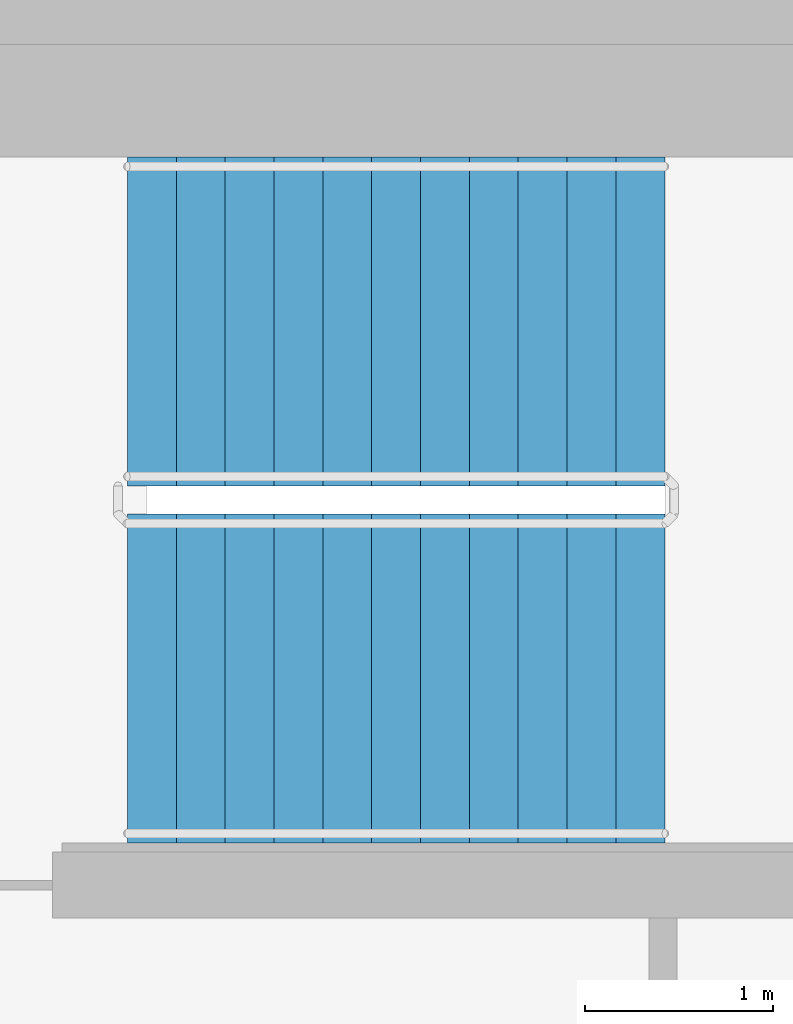
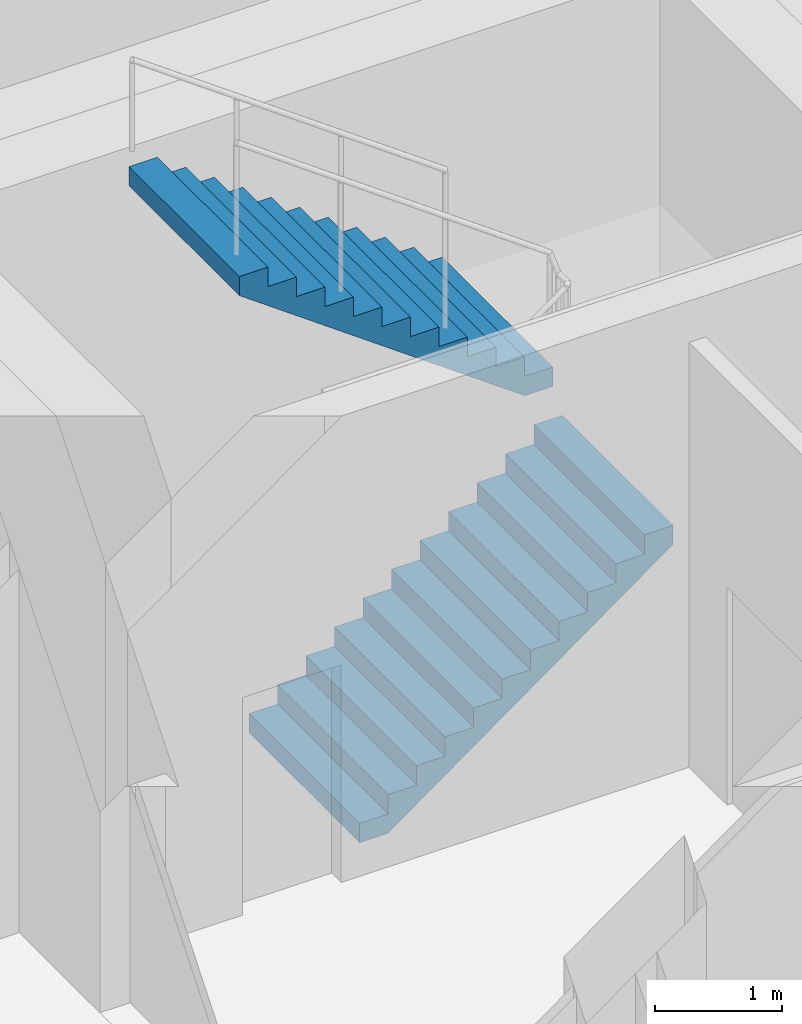
# One storey, part 12 of 17: 2 stair flights, 1 element without a shape of its own.
"""IFC4 building model written with IfcOpenShell, lengths in metres."""

from ifc_helpers import new_model, si_unit, direction, frame, origin, place, context, subcontext, project, spatial, faceted_brep, material, type_object, element, aggregate, save


model = new_model("IFC4")

# Units and contexts
model_context = context("Model", 3, precision=1e-05, world=origin(), true_north=direction((0.0, 1.0)))
body_context = subcontext(model_context, "Body", "Model", "MODEL_VIEW")
ifc_project = project(units=[si_unit("LENGTHUNIT", "METRE"), si_unit("AREAUNIT", "SQUARE_METRE"), si_unit("VOLUMEUNIT", "CUBIC_METRE"), si_unit("PLANEANGLEUNIT", "RADIAN"), si_unit("MASSUNIT", "GRAM", prefix="KILO")], contexts=[model_context])

# Site, building, storey
site_placement = place(None, origin())
site = spatial("IfcSite", under=ifc_project, at=site_placement, CompositionType="ELEMENT")
building_placement = place(site_placement, origin())
building = spatial("IfcBuilding", under=site, at=building_placement, Name="Ipe Terrace Towers", CompositionType="ELEMENT")
storey_placement = place(building_placement, frame((0.0, 0.0, 246.89990234375)))
storey = spatial("IfcBuildingStorey", under=building, at=storey_placement, Name="L68", CompositionType="ELEMENT", Elevation=246.89990234375)

# Stair, stair flights
ifc_material_1 = material(Name="Concrete C30/37", Category="concrete")
stair_type = type_object("IfcStairType", Name="Protected exit stair", PredefinedType="HALF_TURN_STAIR", material=ifc_material_1)
stair_placement = place(storey_placement, origin())
stair = element("IfcStair", 1, at=stair_placement, inside=storey, type_object=stair_type, Name="L68 Exit stair T1-C1", PredefinedType="HALF_TURN_STAIR")
ifc_material_2 = material(Name="Concrete C30/37", Category="concrete")
stair_flight_type = type_object("IfcStairFlightType", Name="Exit stair flight 1750", PredefinedType="STRAIGHT", material=ifc_material_2)
stair_flight_1_placement = place(storey_placement, frame((-26.300048828125, 2.77490234375, 0.0), z_axis=(0.0, 0.0, 1.0), x_axis=(1.0, 0.0, 0.0)))
stair_flight_1 = element("IfcStairFlight", 2, at=stair_flight_1_placement, type_object=stair_flight_type, Name="T1-ST1 flight 1", NumberOfRisers=12, NumberOfTreads=11, PredefinedType="STRAIGHT", RiserHeight=0.1875, TreadLength=0.26, context=body_context, shape_type="Brep", body=[
    faceted_brep([(0.25634765625, -0.875, 0.0), (2.860107421875, -0.875, 1.877685546875), (2.860107421875, -0.875, 2.0625), (2.60009765625, -0.875, 2.0625), (2.60009765625, -0.875, 1.875), (2.340087890625, -0.875, 1.875), (2.340087890625, -0.875, 1.6875), (2.080078125, -0.875, 1.6875), (2.080078125, -0.875, 1.5), (1.820068359375, -0.875, 1.5), (1.820068359375, -0.875, 1.3125), (1.56005859375, -0.875, 1.3125), (1.56005859375, -0.875, 1.125), (1.300048828125, -0.875, 1.125), (1.300048828125, -0.875, 0.9375), (1.0400390625, -0.875, 0.9375), (1.0400390625, -0.875, 0.75), (0.780029296875, -0.875, 0.75), (0.780029296875, -0.875, 0.5625), (0.52001953125, -0.875, 0.5625), (0.52001953125, -0.875, 0.375), (0.260009765625, -0.875, 0.375), (0.260009765625, -0.875, 0.1875), (0.0, -0.875, 0.1875), (0.0, -0.875, 0.0), (0.0, 0.875, 0.0), (0.0, 0.875, 0.1875), (0.260009765625, 0.875, 0.1875), (0.260009765625, 0.875, 0.375), (0.52001953125, 0.875, 0.375), (0.52001953125, 0.875, 0.5625), (0.780029296875, 0.875, 0.5625), (0.780029296875, 0.875, 0.75), (1.0400390625, 0.875, 0.75), (1.0400390625, 0.875, 0.9375), (1.300048828125, 0.875, 0.9375), (1.300048828125, 0.875, 1.125), (1.56005859375, 0.875, 1.125), (1.56005859375, 0.875, 1.3125), (1.820068359375, 0.875, 1.3125), (1.820068359375, 0.875, 1.5), (2.080078125, 0.875, 1.5), (2.080078125, 0.875, 1.6875), (2.340087890625, 0.875, 1.6875), (2.340087890625, 0.875, 1.875), (2.60009765625, 0.875, 1.875), (2.60009765625, 0.875, 2.0625), (2.860107421875, 0.875, 2.0625), (2.860107421875, 0.875, 1.877685546875), (0.25634765625, 0.875, 0.0), (0.0, -0.300048828125, 0.1875), (0.0, -0.1201171875, 0.1875), (0.0, -0.06005859375, 0.1875), (0.0, -0.030029296875, 0.1875), (0.0, -0.010009765625, 0.1875), (0.0, 0.0, 0.1875), (0.0, 0.010009765625, 0.1875), (0.0, 0.030029296875, 0.1875), (0.0, 0.06005859375, 0.1875), (0.0, 0.1201171875, 0.1875), (0.0, 0.300048828125, 0.1875), (0.0, 0.300048828125, 0.0), (0.0, 0.1201171875, 0.0), (0.0, 0.06005859375, 0.0), (0.0, 0.030029296875, 0.0), (0.0, 0.010009765625, 0.0), (0.0, 0.0, 0.0), (0.0, -0.010009765625, 0.0), (0.0, -0.030029296875, 0.0), (0.0, -0.06005859375, 0.0), (0.0, -0.1201171875, 0.0), (0.0, -0.300048828125, 0.0), (0.260009765625, -0.300048828125, 0.1875), (0.260009765625, -0.1201171875, 0.1875), (0.260009765625, -0.06005859375, 0.1875), (0.260009765625, -0.030029296875, 0.1875), (0.260009765625, -0.010009765625, 0.1875), (0.260009765625, 0.0, 0.1875), (0.260009765625, 0.010009765625, 0.1875), (0.260009765625, 0.030029296875, 0.1875), (0.260009765625, 0.06005859375, 0.1875), (0.260009765625, 0.1201171875, 0.1875), (0.260009765625, 0.300048828125, 0.1875), (0.260009765625, -0.300048828125, 0.375), (0.260009765625, -0.1201171875, 0.375), (0.260009765625, -0.06005859375, 0.375), (0.260009765625, -0.030029296875, 0.375), (0.260009765625, -0.010009765625, 0.375), (0.260009765625, 0.0, 0.375), (0.260009765625, 0.010009765625, 0.375), (0.260009765625, 0.030029296875, 0.375), (0.260009765625, 0.06005859375, 0.375), (0.260009765625, 0.1201171875, 0.375), (0.260009765625, 0.300048828125, 0.375), (0.52001953125, -0.300048828125, 0.375), (0.52001953125, -0.1201171875, 0.375), (0.52001953125, -0.06005859375, 0.375), (0.52001953125, -0.030029296875, 0.375), (0.52001953125, -0.010009765625, 0.375), (0.52001953125, 0.0, 0.375), (0.52001953125, 0.010009765625, 0.375), (0.52001953125, 0.030029296875, 0.375), (0.52001953125, 0.06005859375, 0.375), (0.52001953125, 0.1201171875, 0.375), (0.52001953125, 0.300048828125, 0.375), (0.52001953125, -0.300048828125, 0.5625), (0.52001953125, -0.1201171875, 0.5625), (0.52001953125, -0.06005859375, 0.5625), (0.52001953125, -0.030029296875, 0.5625), (0.52001953125, -0.010009765625, 0.5625), (0.52001953125, 0.0, 0.5625), (0.52001953125, 0.010009765625, 0.5625), (0.52001953125, 0.030029296875, 0.5625), (0.52001953125, 0.06005859375, 0.5625), (0.52001953125, 0.1201171875, 0.5625), (0.52001953125, 0.300048828125, 0.5625), (0.780029296875, -0.300048828125, 0.5625), (0.780029296875, -0.1201171875, 0.5625), (0.780029296875, -0.06005859375, 0.5625), (0.780029296875, -0.030029296875, 0.5625), (0.780029296875, -0.010009765625, 0.5625), (0.780029296875, 0.0, 0.5625), (0.780029296875, 0.010009765625, 0.5625), (0.780029296875, 0.030029296875, 0.5625), (0.780029296875, 0.06005859375, 0.5625), (0.780029296875, 0.1201171875, 0.5625), (0.780029296875, 0.300048828125, 0.5625), (0.780029296875, -0.300048828125, 0.75), (0.780029296875, -0.1201171875, 0.75), (0.780029296875, -0.06005859375, 0.75), (0.780029296875, -0.030029296875, 0.75), (0.780029296875, -0.010009765625, 0.75), (0.780029296875, 0.0, 0.75), (0.780029296875, 0.010009765625, 0.75), (0.780029296875, 0.030029296875, 0.75), (0.780029296875, 0.06005859375, 0.75), (0.780029296875, 0.1201171875, 0.75), (0.780029296875, 0.300048828125, 0.75), (1.0400390625, -0.300048828125, 0.75), (1.0400390625, -0.1201171875, 0.75), (1.0400390625, -0.06005859375, 0.75), (1.0400390625, -0.030029296875, 0.75), (1.0400390625, -0.010009765625, 0.75), (1.0400390625, 0.0, 0.75), (1.0400390625, 0.010009765625, 0.75), (1.0400390625, 0.030029296875, 0.75), (1.0400390625, 0.06005859375, 0.75), (1.0400390625, 0.1201171875, 0.75), (1.0400390625, 0.300048828125, 0.75), (1.0400390625, -0.300048828125, 0.9375), (1.0400390625, -0.1201171875, 0.9375), (1.0400390625, -0.06005859375, 0.9375), (1.0400390625, -0.030029296875, 0.9375), (1.0400390625, -0.010009765625, 0.9375), (1.0400390625, 0.0, 0.9375), (1.0400390625, 0.010009765625, 0.9375), (1.0400390625, 0.030029296875, 0.9375), (1.0400390625, 0.06005859375, 0.9375), (1.0400390625, 0.1201171875, 0.9375), (1.0400390625, 0.300048828125, 0.9375), (1.300048828125, -0.300048828125, 0.9375), (1.300048828125, -0.1201171875, 0.9375), (1.300048828125, -0.06005859375, 0.9375), (1.300048828125, -0.030029296875, 0.9375), (1.300048828125, -0.010009765625, 0.9375), (1.300048828125, 0.0, 0.9375), (1.300048828125, 0.010009765625, 0.9375), (1.300048828125, 0.030029296875, 0.9375), (1.300048828125, 0.06005859375, 0.9375), (1.300048828125, 0.1201171875, 0.9375), (1.300048828125, 0.300048828125, 0.9375), (1.300048828125, -0.300048828125, 1.125), (1.300048828125, -0.1201171875, 1.125), (1.300048828125, -0.06005859375, 1.125), (1.300048828125, -0.030029296875, 1.125), (1.300048828125, -0.010009765625, 1.125), (1.300048828125, 0.0, 1.125), (1.300048828125, 0.010009765625, 1.125), (1.300048828125, 0.030029296875, 1.125), (1.300048828125, 0.06005859375, 1.125), (1.300048828125, 0.1201171875, 1.125), (1.300048828125, 0.300048828125, 1.125), (1.56005859375, -0.300048828125, 1.125), (1.56005859375, -0.1201171875, 1.125), (1.56005859375, -0.06005859375, 1.125), (1.56005859375, -0.030029296875, 1.125), (1.56005859375, -0.010009765625, 1.125), (1.56005859375, 0.0, 1.125), (1.56005859375, 0.010009765625, 1.125), (1.56005859375, 0.030029296875, 1.125), (1.56005859375, 0.06005859375, 1.125), (1.56005859375, 0.1201171875, 1.125), (1.56005859375, 0.300048828125, 1.125), (1.56005859375, -0.300048828125, 1.3125), (1.56005859375, -0.1201171875, 1.3125), (1.56005859375, -0.06005859375, 1.3125), (1.56005859375, -0.030029296875, 1.3125), (1.56005859375, -0.010009765625, 1.3125), (1.56005859375, 0.0, 1.3125), (1.56005859375, 0.010009765625, 1.3125), (1.56005859375, 0.030029296875, 1.3125), (1.56005859375, 0.06005859375, 1.3125), (1.56005859375, 0.1201171875, 1.3125), (1.56005859375, 0.300048828125, 1.3125), (1.820068359375, -0.300048828125, 1.3125), (1.820068359375, -0.1201171875, 1.3125), (1.820068359375, -0.06005859375, 1.3125), (1.820068359375, -0.030029296875, 1.3125), (1.820068359375, -0.010009765625, 1.3125), (1.820068359375, 0.0, 1.3125), (1.820068359375, 0.010009765625, 1.3125), (1.820068359375, 0.030029296875, 1.3125), (1.820068359375, 0.06005859375, 1.3125), (1.820068359375, 0.1201171875, 1.3125), (1.820068359375, 0.300048828125, 1.3125), (1.820068359375, -0.300048828125, 1.5), (1.820068359375, -0.1201171875, 1.5), (1.820068359375, -0.06005859375, 1.5), (1.820068359375, -0.030029296875, 1.5), (1.820068359375, -0.010009765625, 1.5), (1.820068359375, 0.0, 1.5), (1.820068359375, 0.010009765625, 1.5), (1.820068359375, 0.030029296875, 1.5), (1.820068359375, 0.06005859375, 1.5), (1.820068359375, 0.1201171875, 1.5), (1.820068359375, 0.300048828125, 1.5), (2.080078125, -0.300048828125, 1.5), (2.080078125, -0.1201171875, 1.5), (2.080078125, -0.06005859375, 1.5), (2.080078125, -0.030029296875, 1.5), (2.080078125, -0.010009765625, 1.5), (2.080078125, 0.0, 1.5), (2.080078125, 0.010009765625, 1.5), (2.080078125, 0.030029296875, 1.5), (2.080078125, 0.06005859375, 1.5), (2.080078125, 0.1201171875, 1.5), (2.080078125, 0.300048828125, 1.5), (2.080078125, -0.300048828125, 1.6875), (2.080078125, -0.1201171875, 1.6875), (2.080078125, -0.06005859375, 1.6875), (2.080078125, -0.030029296875, 1.6875), (2.080078125, -0.010009765625, 1.6875), (2.080078125, 0.0, 1.6875), (2.080078125, 0.010009765625, 1.6875), (2.080078125, 0.030029296875, 1.6875), (2.080078125, 0.06005859375, 1.6875), (2.080078125, 0.1201171875, 1.6875), (2.080078125, 0.300048828125, 1.6875), (2.340087890625, -0.300048828125, 1.6875), (2.340087890625, -0.1201171875, 1.6875), (2.340087890625, -0.06005859375, 1.6875), (2.340087890625, -0.030029296875, 1.6875), (2.340087890625, -0.010009765625, 1.6875), (2.340087890625, 0.0, 1.6875), (2.340087890625, 0.010009765625, 1.6875), (2.340087890625, 0.030029296875, 1.6875), (2.340087890625, 0.06005859375, 1.6875), (2.340087890625, 0.1201171875, 1.6875), (2.340087890625, 0.300048828125, 1.6875), (2.340087890625, -0.300048828125, 1.875), (2.340087890625, -0.1201171875, 1.875), (2.340087890625, -0.06005859375, 1.875), (2.340087890625, -0.030029296875, 1.875), (2.340087890625, -0.010009765625, 1.875), (2.340087890625, 0.0, 1.875), (2.340087890625, 0.010009765625, 1.875), (2.340087890625, 0.030029296875, 1.875), (2.340087890625, 0.06005859375, 1.875), (2.340087890625, 0.1201171875, 1.875), (2.340087890625, 0.300048828125, 1.875), (2.60009765625, -0.300048828125, 1.875), (2.60009765625, -0.1201171875, 1.875), (2.60009765625, -0.06005859375, 1.875), (2.60009765625, -0.030029296875, 1.875), (2.60009765625, -0.010009765625, 1.875), (2.60009765625, 0.0, 1.875), (2.60009765625, 0.010009765625, 1.875), (2.60009765625, 0.030029296875, 1.875), (2.60009765625, 0.06005859375, 1.875), (2.60009765625, 0.1201171875, 1.875), (2.60009765625, 0.300048828125, 1.875), (2.60009765625, -0.300048828125, 2.0625), (2.60009765625, -0.1201171875, 2.0625), (2.60009765625, -0.06005859375, 2.0625), (2.60009765625, -0.030029296875, 2.0625), (2.60009765625, -0.010009765625, 2.0625), (2.60009765625, 0.0, 2.0625), (2.60009765625, 0.010009765625, 2.0625), (2.60009765625, 0.030029296875, 2.0625), (2.60009765625, 0.06005859375, 2.0625), (2.60009765625, 0.1201171875, 2.0625), (2.60009765625, 0.300048828125, 2.0625), (2.860107421875, -0.300048828125, 2.0625), (2.860107421875, -0.1201171875, 2.0625), (2.860107421875, -0.06005859375, 2.0625), (2.860107421875, -0.030029296875, 2.0625), (2.860107421875, -0.010009765625, 2.0625), (2.860107421875, 0.0, 2.0625), (2.860107421875, 0.010009765625, 2.0625), (2.860107421875, 0.030029296875, 2.0625), (2.860107421875, 0.06005859375, 2.0625), (2.860107421875, 0.1201171875, 2.0625), (2.860107421875, 0.300048828125, 2.0625), (2.860107421875, -0.300048828125, 1.877685546875), (2.860107421875, -0.1201171875, 1.877685546875), (2.860107421875, -0.06005859375, 1.877685546875), (2.860107421875, -0.030029296875, 1.877685546875), (2.860107421875, -0.010009765625, 1.877685546875), (2.860107421875, 0.0, 1.877685546875), (2.860107421875, 0.010009765625, 1.877685546875), (2.860107421875, 0.030029296875, 1.877685546875), (2.860107421875, 0.06005859375, 1.877685546875), (2.860107421875, 0.1201171875, 1.877685546875), (2.860107421875, 0.300048828125, 1.877685546875), (0.25634765625, -0.300048828125, 0.0), (0.25634765625, -0.1201171875, 0.0), (0.25634765625, -0.06005859375, 0.0), (0.25634765625, -0.030029296875, 0.0), (0.25634765625, -0.010009765625, 0.0), (0.25634765625, 0.0, 0.0), (0.25634765625, 0.010009765625, 0.0), (0.25634765625, 0.030029296875, 0.0), (0.25634765625, 0.06005859375, 0.0), (0.25634765625, 0.1201171875, 0.0), (0.25634765625, 0.300048828125, 0.0)], [[[0, 1, 2, 3, 4, 5, 6, 7, 8, 9, 10, 11, 12, 13, 14, 15, 16, 17, 18, 19, 20, 21, 22, 23, 24]], [[25, 26, 27, 28, 29, 30, 31, 32, 33, 34, 35, 36, 37, 38, 39, 40, 41, 42, 43, 44, 45, 46, 47, 48, 49]], [[23, 50, 51, 52, 53, 54, 55, 56, 57, 58, 59, 60, 26, 25, 61, 62, 63, 64, 65, 66, 67, 68, 69, 70, 71, 24]], [[22, 72, 73, 74, 75, 76, 77, 78, 79, 80, 81, 82, 27, 26, 60, 59, 58, 57, 56, 55, 54, 53, 52, 51, 50, 23]], [[21, 83, 84, 85, 86, 87, 88, 89, 90, 91, 92, 93, 28, 27, 82, 81, 80, 79, 78, 77, 76, 75, 74, 73, 72, 22]], [[20, 94, 95, 96, 97, 98, 99, 100, 101, 102, 103, 104, 29, 28, 93, 92, 91, 90, 89, 88, 87, 86, 85, 84, 83, 21]], [[19, 105, 106, 107, 108, 109, 110, 111, 112, 113, 114, 115, 30, 29, 104, 103, 102, 101, 100, 99, 98, 97, 96, 95, 94, 20]], [[18, 116, 117, 118, 119, 120, 121, 122, 123, 124, 125, 126, 31, 30, 115, 114, 113, 112, 111, 110, 109, 108, 107, 106, 105, 19]], [[17, 127, 128, 129, 130, 131, 132, 133, 134, 135, 136, 137, 32, 31, 126, 125, 124, 123, 122, 121, 120, 119, 118, 117, 116, 18]], [[16, 138, 139, 140, 141, 142, 143, 144, 145, 146, 147, 148, 33, 32, 137, 136, 135, 134, 133, 132, 131, 130, 129, 128, 127, 17]], [[15, 149, 150, 151, 152, 153, 154, 155, 156, 157, 158, 159, 34, 33, 148, 147, 146, 145, 144, 143, 142, 141, 140, 139, 138, 16]], [[14, 160, 161, 162, 163, 164, 165, 166, 167, 168, 169, 170, 35, 34, 159, 158, 157, 156, 155, 154, 153, 152, 151, 150, 149, 15]], [[13, 171, 172, 173, 174, 175, 176, 177, 178, 179, 180, 181, 36, 35, 170, 169, 168, 167, 166, 165, 164, 163, 162, 161, 160, 14]], [[12, 182, 183, 184, 185, 186, 187, 188, 189, 190, 191, 192, 37, 36, 181, 180, 179, 178, 177, 176, 175, 174, 173, 172, 171, 13]], [[11, 193, 194, 195, 196, 197, 198, 199, 200, 201, 202, 203, 38, 37, 192, 191, 190, 189, 188, 187, 186, 185, 184, 183, 182, 12]], [[10, 204, 205, 206, 207, 208, 209, 210, 211, 212, 213, 214, 39, 38, 203, 202, 201, 200, 199, 198, 197, 196, 195, 194, 193, 11]], [[9, 215, 216, 217, 218, 219, 220, 221, 222, 223, 224, 225, 40, 39, 214, 213, 212, 211, 210, 209, 208, 207, 206, 205, 204, 10]], [[8, 226, 227, 228, 229, 230, 231, 232, 233, 234, 235, 236, 41, 40, 225, 224, 223, 222, 221, 220, 219, 218, 217, 216, 215, 9]], [[7, 237, 238, 239, 240, 241, 242, 243, 244, 245, 246, 247, 42, 41, 236, 235, 234, 233, 232, 231, 230, 229, 228, 227, 226, 8]], [[6, 248, 249, 250, 251, 252, 253, 254, 255, 256, 257, 258, 43, 42, 247, 246, 245, 244, 243, 242, 241, 240, 239, 238, 237, 7]], [[5, 259, 260, 261, 262, 263, 264, 265, 266, 267, 268, 269, 44, 43, 258, 257, 256, 255, 254, 253, 252, 251, 250, 249, 248, 6]], [[4, 270, 271, 272, 273, 274, 275, 276, 277, 278, 279, 280, 45, 44, 269, 268, 267, 266, 265, 264, 263, 262, 261, 260, 259, 5]], [[3, 281, 282, 283, 284, 285, 286, 287, 288, 289, 290, 291, 46, 45, 280, 279, 278, 277, 276, 275, 274, 273, 272, 271, 270, 4]], [[2, 292, 293, 294, 295, 296, 297, 298, 299, 300, 301, 302, 47, 46, 291, 290, 289, 288, 287, 286, 285, 284, 283, 282, 281, 3]], [[1, 303, 304, 305, 306, 307, 308, 309, 310, 311, 312, 313, 48, 47, 302, 301, 300, 299, 298, 297, 296, 295, 294, 293, 292, 2]], [[0, 314, 315, 316, 317, 318, 319, 320, 321, 322, 323, 324, 49, 48, 313, 312, 311, 310, 309, 308, 307, 306, 305, 304, 303, 1]], [[24, 71, 70, 69, 68, 67, 66, 65, 64, 63, 62, 61, 25, 49, 324, 323, 322, 321, 320, 319, 318, 317, 316, 315, 314, 0]]]),
])
stair_flight_2_placement = place(storey_placement, frame((-23.43994140625, 4.675048828125, 2.25), z_axis=(0.0, 0.0, 1.0), x_axis=(-1.0, 0.0, 0.0)))
stair_flight_2 = element("IfcStairFlight", 3, at=stair_flight_2_placement, type_object=stair_flight_type, Name="T1-ST1 flight 2", NumberOfRisers=12, NumberOfTreads=11, PredefinedType="STRAIGHT", RiserHeight=0.1875, TreadLength=0.26, context=body_context, shape_type="Brep", body=[
    faceted_brep([(0.25634765625, -0.875, 0.0), (2.860107421875, -0.875, 1.877685546875), (2.860107421875, -0.875, 2.0625), (2.60009765625, -0.875, 2.0625), (2.60009765625, -0.875, 1.875), (2.340087890625, -0.875, 1.875), (2.340087890625, -0.875, 1.6875), (2.080078125, -0.875, 1.6875), (2.080078125, -0.875, 1.5), (1.820068359375, -0.875, 1.5), (1.820068359375, -0.875, 1.3125), (1.56005859375, -0.875, 1.3125), (1.56005859375, -0.875, 1.125), (1.300048828125, -0.875, 1.125), (1.300048828125, -0.875, 0.9375), (1.0400390625, -0.875, 0.9375), (1.0400390625, -0.875, 0.75), (0.780029296875, -0.875, 0.75), (0.780029296875, -0.875, 0.5625), (0.52001953125, -0.875, 0.5625), (0.52001953125, -0.875, 0.375), (0.260009765625, -0.875, 0.375), (0.260009765625, -0.875, 0.1875), (0.0, -0.875, 0.1875), (0.0, -0.875, 0.0), (0.0, 0.875, 0.0), (0.0, 0.875, 0.1875), (0.260009765625, 0.875, 0.1875), (0.260009765625, 0.875, 0.375), (0.52001953125, 0.875, 0.375), (0.52001953125, 0.875, 0.5625), (0.780029296875, 0.875, 0.5625), (0.780029296875, 0.875, 0.75), (1.0400390625, 0.875, 0.75), (1.0400390625, 0.875, 0.9375), (1.300048828125, 0.875, 0.9375), (1.300048828125, 0.875, 1.125), (1.56005859375, 0.875, 1.125), (1.56005859375, 0.875, 1.3125), (1.820068359375, 0.875, 1.3125), (1.820068359375, 0.875, 1.5), (2.080078125, 0.875, 1.5), (2.080078125, 0.875, 1.6875), (2.340087890625, 0.875, 1.6875), (2.340087890625, 0.875, 1.875), (2.60009765625, 0.875, 1.875), (2.60009765625, 0.875, 2.0625), (2.860107421875, 0.875, 2.0625), (2.860107421875, 0.875, 1.877685546875), (0.25634765625, 0.875, 0.0), (0.0, -0.300048828125, 0.1875), (0.0, -0.1201171875, 0.1875), (0.0, -0.06005859375, 0.1875), (0.0, -0.030029296875, 0.1875), (0.0, -0.010009765625, 0.1875), (0.0, 0.0, 0.1875), (0.0, 0.010009765625, 0.1875), (0.0, 0.030029296875, 0.1875), (0.0, 0.06005859375, 0.1875), (0.0, 0.1201171875, 0.1875), (0.0, 0.300048828125, 0.1875), (0.0, 0.300048828125, 0.0), (0.0, 0.1201171875, 0.0), (0.0, 0.06005859375, 0.0), (0.0, 0.030029296875, 0.0), (0.0, 0.010009765625, 0.0), (0.0, 0.0, 0.0), (0.0, -0.010009765625, 0.0), (0.0, -0.030029296875, 0.0), (0.0, -0.06005859375, 0.0), (0.0, -0.1201171875, 0.0), (0.0, -0.300048828125, 0.0), (0.260009765625, -0.300048828125, 0.1875), (0.260009765625, -0.1201171875, 0.1875), (0.260009765625, -0.06005859375, 0.1875), (0.260009765625, -0.030029296875, 0.1875), (0.260009765625, -0.010009765625, 0.1875), (0.260009765625, 0.0, 0.1875), (0.260009765625, 0.010009765625, 0.1875), (0.260009765625, 0.030029296875, 0.1875), (0.260009765625, 0.06005859375, 0.1875), (0.260009765625, 0.1201171875, 0.1875), (0.260009765625, 0.300048828125, 0.1875), (0.260009765625, -0.300048828125, 0.375), (0.260009765625, -0.1201171875, 0.375), (0.260009765625, -0.06005859375, 0.375), (0.260009765625, -0.030029296875, 0.375), (0.260009765625, -0.010009765625, 0.375), (0.260009765625, 0.0, 0.375), (0.260009765625, 0.010009765625, 0.375), (0.260009765625, 0.030029296875, 0.375), (0.260009765625, 0.06005859375, 0.375), (0.260009765625, 0.1201171875, 0.375), (0.260009765625, 0.300048828125, 0.375), (0.52001953125, -0.300048828125, 0.375), (0.52001953125, -0.1201171875, 0.375), (0.52001953125, -0.06005859375, 0.375), (0.52001953125, -0.030029296875, 0.375), (0.52001953125, -0.010009765625, 0.375), (0.52001953125, 0.0, 0.375), (0.52001953125, 0.010009765625, 0.375), (0.52001953125, 0.030029296875, 0.375), (0.52001953125, 0.06005859375, 0.375), (0.52001953125, 0.1201171875, 0.375), (0.52001953125, 0.300048828125, 0.375), (0.52001953125, -0.300048828125, 0.5625), (0.52001953125, -0.1201171875, 0.5625), (0.52001953125, -0.06005859375, 0.5625), (0.52001953125, -0.030029296875, 0.5625), (0.52001953125, -0.010009765625, 0.5625), (0.52001953125, 0.0, 0.5625), (0.52001953125, 0.010009765625, 0.5625), (0.52001953125, 0.030029296875, 0.5625), (0.52001953125, 0.06005859375, 0.5625), (0.52001953125, 0.1201171875, 0.5625), (0.52001953125, 0.300048828125, 0.5625), (0.780029296875, -0.300048828125, 0.5625), (0.780029296875, -0.1201171875, 0.5625), (0.780029296875, -0.06005859375, 0.5625), (0.780029296875, -0.030029296875, 0.5625), (0.780029296875, -0.010009765625, 0.5625), (0.780029296875, 0.0, 0.5625), (0.780029296875, 0.010009765625, 0.5625), (0.780029296875, 0.030029296875, 0.5625), (0.780029296875, 0.06005859375, 0.5625), (0.780029296875, 0.1201171875, 0.5625), (0.780029296875, 0.300048828125, 0.5625), (0.780029296875, -0.300048828125, 0.75), (0.780029296875, -0.1201171875, 0.75), (0.780029296875, -0.06005859375, 0.75), (0.780029296875, -0.030029296875, 0.75), (0.780029296875, -0.010009765625, 0.75), (0.780029296875, 0.0, 0.75), (0.780029296875, 0.010009765625, 0.75), (0.780029296875, 0.030029296875, 0.75), (0.780029296875, 0.06005859375, 0.75), (0.780029296875, 0.1201171875, 0.75), (0.780029296875, 0.300048828125, 0.75), (1.0400390625, -0.300048828125, 0.75), (1.0400390625, -0.1201171875, 0.75), (1.0400390625, -0.06005859375, 0.75), (1.0400390625, -0.030029296875, 0.75), (1.0400390625, -0.010009765625, 0.75), (1.0400390625, 0.0, 0.75), (1.0400390625, 0.010009765625, 0.75), (1.0400390625, 0.030029296875, 0.75), (1.0400390625, 0.06005859375, 0.75), (1.0400390625, 0.1201171875, 0.75), (1.0400390625, 0.300048828125, 0.75), (1.0400390625, -0.300048828125, 0.9375), (1.0400390625, -0.1201171875, 0.9375), (1.0400390625, -0.06005859375, 0.9375), (1.0400390625, -0.030029296875, 0.9375), (1.0400390625, -0.010009765625, 0.9375), (1.0400390625, 0.0, 0.9375), (1.0400390625, 0.010009765625, 0.9375), (1.0400390625, 0.030029296875, 0.9375), (1.0400390625, 0.06005859375, 0.9375), (1.0400390625, 0.1201171875, 0.9375), (1.0400390625, 0.300048828125, 0.9375), (1.300048828125, -0.300048828125, 0.9375), (1.300048828125, -0.1201171875, 0.9375), (1.300048828125, -0.06005859375, 0.9375), (1.300048828125, -0.030029296875, 0.9375), (1.300048828125, -0.010009765625, 0.9375), (1.300048828125, 0.0, 0.9375), (1.300048828125, 0.010009765625, 0.9375), (1.300048828125, 0.030029296875, 0.9375), (1.300048828125, 0.06005859375, 0.9375), (1.300048828125, 0.1201171875, 0.9375), (1.300048828125, 0.300048828125, 0.9375), (1.300048828125, -0.300048828125, 1.125), (1.300048828125, -0.1201171875, 1.125), (1.300048828125, -0.06005859375, 1.125), (1.300048828125, -0.030029296875, 1.125), (1.300048828125, -0.010009765625, 1.125), (1.300048828125, 0.0, 1.125), (1.300048828125, 0.010009765625, 1.125), (1.300048828125, 0.030029296875, 1.125), (1.300048828125, 0.06005859375, 1.125), (1.300048828125, 0.1201171875, 1.125), (1.300048828125, 0.300048828125, 1.125), (1.56005859375, -0.300048828125, 1.125), (1.56005859375, -0.1201171875, 1.125), (1.56005859375, -0.06005859375, 1.125), (1.56005859375, -0.030029296875, 1.125), (1.56005859375, -0.010009765625, 1.125), (1.56005859375, 0.0, 1.125), (1.56005859375, 0.010009765625, 1.125), (1.56005859375, 0.030029296875, 1.125), (1.56005859375, 0.06005859375, 1.125), (1.56005859375, 0.1201171875, 1.125), (1.56005859375, 0.300048828125, 1.125), (1.56005859375, -0.300048828125, 1.3125), (1.56005859375, -0.1201171875, 1.3125), (1.56005859375, -0.06005859375, 1.3125), (1.56005859375, -0.030029296875, 1.3125), (1.56005859375, -0.010009765625, 1.3125), (1.56005859375, 0.0, 1.3125), (1.56005859375, 0.010009765625, 1.3125), (1.56005859375, 0.030029296875, 1.3125), (1.56005859375, 0.06005859375, 1.3125), (1.56005859375, 0.1201171875, 1.3125), (1.56005859375, 0.300048828125, 1.3125), (1.820068359375, -0.300048828125, 1.3125), (1.820068359375, -0.1201171875, 1.3125), (1.820068359375, -0.06005859375, 1.3125), (1.820068359375, -0.030029296875, 1.3125), (1.820068359375, -0.010009765625, 1.3125), (1.820068359375, 0.0, 1.3125), (1.820068359375, 0.010009765625, 1.3125), (1.820068359375, 0.030029296875, 1.3125), (1.820068359375, 0.06005859375, 1.3125), (1.820068359375, 0.1201171875, 1.3125), (1.820068359375, 0.300048828125, 1.3125), (1.820068359375, -0.300048828125, 1.5), (1.820068359375, -0.1201171875, 1.5), (1.820068359375, -0.06005859375, 1.5), (1.820068359375, -0.030029296875, 1.5), (1.820068359375, -0.010009765625, 1.5), (1.820068359375, 0.0, 1.5), (1.820068359375, 0.010009765625, 1.5), (1.820068359375, 0.030029296875, 1.5), (1.820068359375, 0.06005859375, 1.5), (1.820068359375, 0.1201171875, 1.5), (1.820068359375, 0.300048828125, 1.5), (2.080078125, -0.300048828125, 1.5), (2.080078125, -0.1201171875, 1.5), (2.080078125, -0.06005859375, 1.5), (2.080078125, -0.030029296875, 1.5), (2.080078125, -0.010009765625, 1.5), (2.080078125, 0.0, 1.5), (2.080078125, 0.010009765625, 1.5), (2.080078125, 0.030029296875, 1.5), (2.080078125, 0.06005859375, 1.5), (2.080078125, 0.1201171875, 1.5), (2.080078125, 0.300048828125, 1.5), (2.080078125, -0.300048828125, 1.6875), (2.080078125, -0.1201171875, 1.6875), (2.080078125, -0.06005859375, 1.6875), (2.080078125, -0.030029296875, 1.6875), (2.080078125, -0.010009765625, 1.6875), (2.080078125, 0.0, 1.6875), (2.080078125, 0.010009765625, 1.6875), (2.080078125, 0.030029296875, 1.6875), (2.080078125, 0.06005859375, 1.6875), (2.080078125, 0.1201171875, 1.6875), (2.080078125, 0.300048828125, 1.6875), (2.340087890625, -0.300048828125, 1.6875), (2.340087890625, -0.1201171875, 1.6875), (2.340087890625, -0.06005859375, 1.6875), (2.340087890625, -0.030029296875, 1.6875), (2.340087890625, -0.010009765625, 1.6875), (2.340087890625, 0.0, 1.6875), (2.340087890625, 0.010009765625, 1.6875), (2.340087890625, 0.030029296875, 1.6875), (2.340087890625, 0.06005859375, 1.6875), (2.340087890625, 0.1201171875, 1.6875), (2.340087890625, 0.300048828125, 1.6875), (2.340087890625, -0.300048828125, 1.875), (2.340087890625, -0.1201171875, 1.875), (2.340087890625, -0.06005859375, 1.875), (2.340087890625, -0.030029296875, 1.875), (2.340087890625, -0.010009765625, 1.875), (2.340087890625, 0.0, 1.875), (2.340087890625, 0.010009765625, 1.875), (2.340087890625, 0.030029296875, 1.875), (2.340087890625, 0.06005859375, 1.875), (2.340087890625, 0.1201171875, 1.875), (2.340087890625, 0.300048828125, 1.875), (2.60009765625, -0.300048828125, 1.875), (2.60009765625, -0.1201171875, 1.875), (2.60009765625, -0.06005859375, 1.875), (2.60009765625, -0.030029296875, 1.875), (2.60009765625, -0.010009765625, 1.875), (2.60009765625, 0.0, 1.875), (2.60009765625, 0.010009765625, 1.875), (2.60009765625, 0.030029296875, 1.875), (2.60009765625, 0.06005859375, 1.875), (2.60009765625, 0.1201171875, 1.875), (2.60009765625, 0.300048828125, 1.875), (2.60009765625, -0.300048828125, 2.0625), (2.60009765625, -0.1201171875, 2.0625), (2.60009765625, -0.06005859375, 2.0625), (2.60009765625, -0.030029296875, 2.0625), (2.60009765625, -0.010009765625, 2.0625), (2.60009765625, 0.0, 2.0625), (2.60009765625, 0.010009765625, 2.0625), (2.60009765625, 0.030029296875, 2.0625), (2.60009765625, 0.06005859375, 2.0625), (2.60009765625, 0.1201171875, 2.0625), (2.60009765625, 0.300048828125, 2.0625), (2.860107421875, -0.300048828125, 2.0625), (2.860107421875, -0.1201171875, 2.0625), (2.860107421875, -0.06005859375, 2.0625), (2.860107421875, -0.030029296875, 2.0625), (2.860107421875, -0.010009765625, 2.0625), (2.860107421875, 0.0, 2.0625), (2.860107421875, 0.010009765625, 2.0625), (2.860107421875, 0.030029296875, 2.0625), (2.860107421875, 0.06005859375, 2.0625), (2.860107421875, 0.1201171875, 2.0625), (2.860107421875, 0.300048828125, 2.0625), (2.860107421875, -0.300048828125, 1.877685546875), (2.860107421875, -0.1201171875, 1.877685546875), (2.860107421875, -0.06005859375, 1.877685546875), (2.860107421875, -0.030029296875, 1.877685546875), (2.860107421875, -0.010009765625, 1.877685546875), (2.860107421875, 0.0, 1.877685546875), (2.860107421875, 0.010009765625, 1.877685546875), (2.860107421875, 0.030029296875, 1.877685546875), (2.860107421875, 0.06005859375, 1.877685546875), (2.860107421875, 0.1201171875, 1.877685546875), (2.860107421875, 0.300048828125, 1.877685546875), (0.25634765625, -0.300048828125, 0.0), (0.25634765625, -0.1201171875, 0.0), (0.25634765625, -0.06005859375, 0.0), (0.25634765625, -0.030029296875, 0.0), (0.25634765625, -0.010009765625, 0.0), (0.25634765625, 0.0, 0.0), (0.25634765625, 0.010009765625, 0.0), (0.25634765625, 0.030029296875, 0.0), (0.25634765625, 0.06005859375, 0.0), (0.25634765625, 0.1201171875, 0.0), (0.25634765625, 0.300048828125, 0.0)], [[[0, 1, 2, 3, 4, 5, 6, 7, 8, 9, 10, 11, 12, 13, 14, 15, 16, 17, 18, 19, 20, 21, 22, 23, 24]], [[25, 26, 27, 28, 29, 30, 31, 32, 33, 34, 35, 36, 37, 38, 39, 40, 41, 42, 43, 44, 45, 46, 47, 48, 49]], [[23, 50, 51, 52, 53, 54, 55, 56, 57, 58, 59, 60, 26, 25, 61, 62, 63, 64, 65, 66, 67, 68, 69, 70, 71, 24]], [[22, 72, 73, 74, 75, 76, 77, 78, 79, 80, 81, 82, 27, 26, 60, 59, 58, 57, 56, 55, 54, 53, 52, 51, 50, 23]], [[21, 83, 84, 85, 86, 87, 88, 89, 90, 91, 92, 93, 28, 27, 82, 81, 80, 79, 78, 77, 76, 75, 74, 73, 72, 22]], [[20, 94, 95, 96, 97, 98, 99, 100, 101, 102, 103, 104, 29, 28, 93, 92, 91, 90, 89, 88, 87, 86, 85, 84, 83, 21]], [[19, 105, 106, 107, 108, 109, 110, 111, 112, 113, 114, 115, 30, 29, 104, 103, 102, 101, 100, 99, 98, 97, 96, 95, 94, 20]], [[18, 116, 117, 118, 119, 120, 121, 122, 123, 124, 125, 126, 31, 30, 115, 114, 113, 112, 111, 110, 109, 108, 107, 106, 105, 19]], [[17, 127, 128, 129, 130, 131, 132, 133, 134, 135, 136, 137, 32, 31, 126, 125, 124, 123, 122, 121, 120, 119, 118, 117, 116, 18]], [[16, 138, 139, 140, 141, 142, 143, 144, 145, 146, 147, 148, 33, 32, 137, 136, 135, 134, 133, 132, 131, 130, 129, 128, 127, 17]], [[15, 149, 150, 151, 152, 153, 154, 155, 156, 157, 158, 159, 34, 33, 148, 147, 146, 145, 144, 143, 142, 141, 140, 139, 138, 16]], [[14, 160, 161, 162, 163, 164, 165, 166, 167, 168, 169, 170, 35, 34, 159, 158, 157, 156, 155, 154, 153, 152, 151, 150, 149, 15]], [[13, 171, 172, 173, 174, 175, 176, 177, 178, 179, 180, 181, 36, 35, 170, 169, 168, 167, 166, 165, 164, 163, 162, 161, 160, 14]], [[12, 182, 183, 184, 185, 186, 187, 188, 189, 190, 191, 192, 37, 36, 181, 180, 179, 178, 177, 176, 175, 174, 173, 172, 171, 13]], [[11, 193, 194, 195, 196, 197, 198, 199, 200, 201, 202, 203, 38, 37, 192, 191, 190, 189, 188, 187, 186, 185, 184, 183, 182, 12]], [[10, 204, 205, 206, 207, 208, 209, 210, 211, 212, 213, 214, 39, 38, 203, 202, 201, 200, 199, 198, 197, 196, 195, 194, 193, 11]], [[9, 215, 216, 217, 218, 219, 220, 221, 222, 223, 224, 225, 40, 39, 214, 213, 212, 211, 210, 209, 208, 207, 206, 205, 204, 10]], [[8, 226, 227, 228, 229, 230, 231, 232, 233, 234, 235, 236, 41, 40, 225, 224, 223, 222, 221, 220, 219, 218, 217, 216, 215, 9]], [[7, 237, 238, 239, 240, 241, 242, 243, 244, 245, 246, 247, 42, 41, 236, 235, 234, 233, 232, 231, 230, 229, 228, 227, 226, 8]], [[6, 248, 249, 250, 251, 252, 253, 254, 255, 256, 257, 258, 43, 42, 247, 246, 245, 244, 243, 242, 241, 240, 239, 238, 237, 7]], [[5, 259, 260, 261, 262, 263, 264, 265, 266, 267, 268, 269, 44, 43, 258, 257, 256, 255, 254, 253, 252, 251, 250, 249, 248, 6]], [[4, 270, 271, 272, 273, 274, 275, 276, 277, 278, 279, 280, 45, 44, 269, 268, 267, 266, 265, 264, 263, 262, 261, 260, 259, 5]], [[3, 281, 282, 283, 284, 285, 286, 287, 288, 289, 290, 291, 46, 45, 280, 279, 278, 277, 276, 275, 274, 273, 272, 271, 270, 4]], [[2, 292, 293, 294, 295, 296, 297, 298, 299, 300, 301, 302, 47, 46, 291, 290, 289, 288, 287, 286, 285, 284, 283, 282, 281, 3]], [[1, 303, 304, 305, 306, 307, 308, 309, 310, 311, 312, 313, 48, 47, 302, 301, 300, 299, 298, 297, 296, 295, 294, 293, 292, 2]], [[0, 314, 315, 316, 317, 318, 319, 320, 321, 322, 323, 324, 49, 48, 313, 312, 311, 310, 309, 308, 307, 306, 305, 304, 303, 1]], [[24, 71, 70, 69, 68, 67, 66, 65, 64, 63, 62, 61, 25, 49, 324, 323, 322, 321, 320, 319, 318, 317, 316, 315, 314, 0]]]),
])
aggregate(stair, [stair_flight_1, stair_flight_2])

save(model, "model.ifc")
